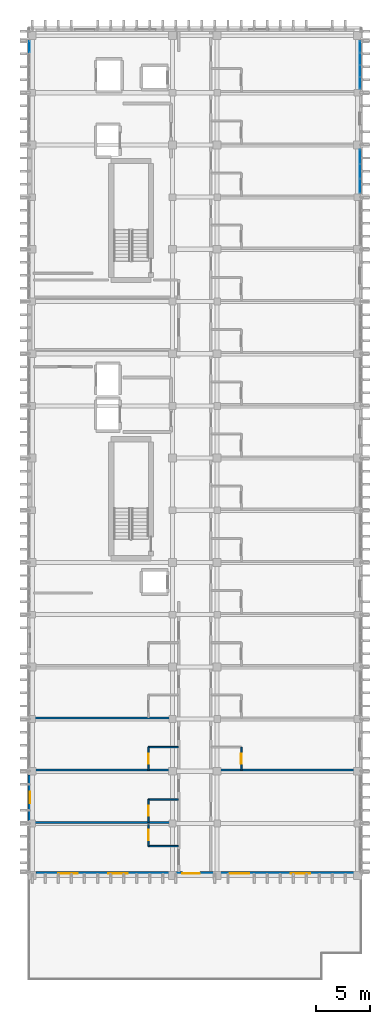
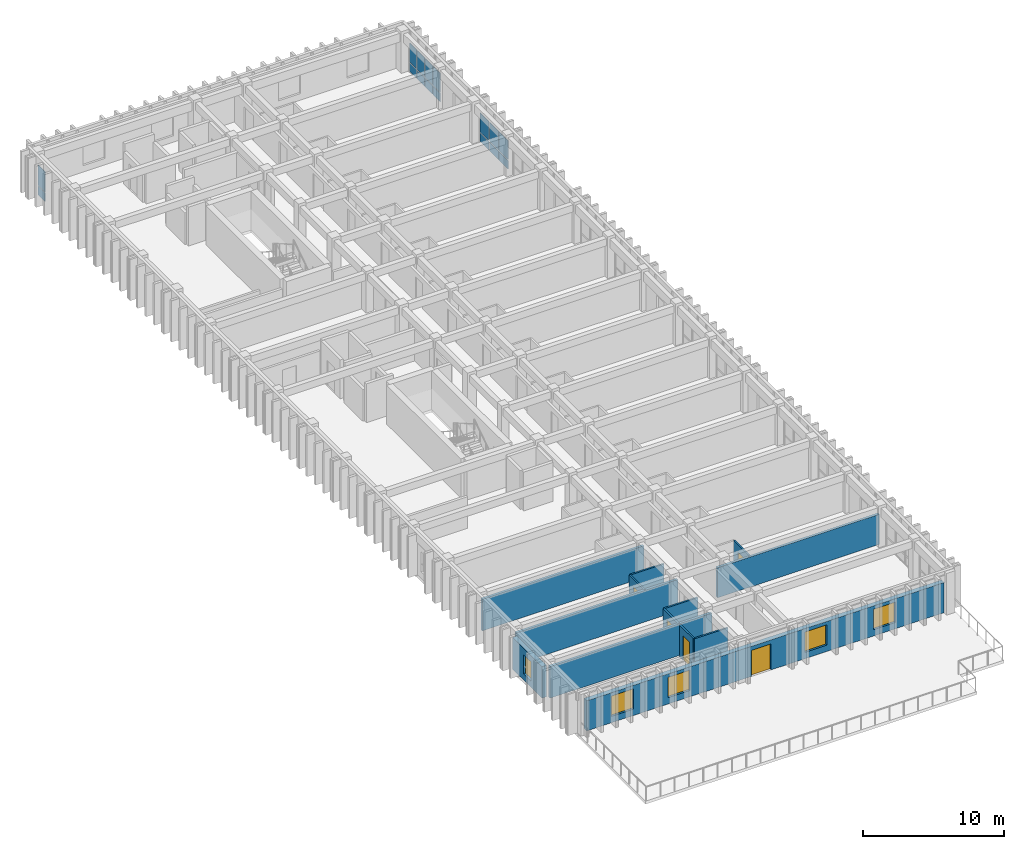
# One storey, part 47 of 59: 16 plates, 13 walls, 5 doors, 5 windows, 10 openings, 3 elements without a shape of their own.
"""IFC4 building model written with IfcOpenShell, lengths in metres."""

from ifc_helpers import new_model, si_unit, direction, frame, frame_2d, origin, origin_2d, place, context, subcontext, project, spatial, rectangle, extrude, material, layer, layer_set, type_object, element, fill, aggregate, save


model = new_model("IFC4")

# Units and contexts
model_context = context("Model", 3, precision=1e-05, world=origin(), true_north=direction((0.0, 1.0)))
body_context = subcontext(model_context, "Body", "Model", "MODEL_VIEW")
ifc_project = project(units=[si_unit("LENGTHUNIT", "METRE"), si_unit("AREAUNIT", "SQUARE_METRE"), si_unit("VOLUMEUNIT", "CUBIC_METRE"), si_unit("PLANEANGLEUNIT", "RADIAN"), si_unit("MASSUNIT", "GRAM", prefix="KILO")], contexts=[model_context])

# Site, building, storey
site_placement = place(None, origin())
site = spatial("IfcSite", under=ifc_project, at=site_placement, CompositionType="ELEMENT")
building_placement = place(site_placement, origin())
building = spatial("IfcBuilding", under=site, at=building_placement, Name="Nakhvara Creek Congress Hotel", CompositionType="ELEMENT")
storey_placement = place(building_placement, frame((0.0, 0.0, 31.800048828125)))
storey = spatial("IfcBuildingStorey", under=building, at=storey_placement, Name="L07", CompositionType="ELEMENT", Elevation=31.800048828125)

# Curtain wall, plates
ifc_material_1 = material(Name="Bronze-anodised aluminium AW-6063-T6 and double-silver low-E glass", Category="aluminium")
ifc_layer_1 = layer(ifc_material_1, 0.199951171875)
ifc_layer_set_1 = layer_set([ifc_layer_1], Name="Bronze-anodised aluminium AW-6063-T6 and double-silver low-E glass")
curtain_wall_type = type_object("IfcCurtainWallType", Name="CW-HTL-UNIT", PredefinedType="USERDEFINED", material=ifc_layer_set_1)
curtain_wall_1_placement = place(storey_placement, origin())
curtain_wall_1 = element("IfcCurtainWall", 1, at=curtain_wall_1_placement, inside=storey, type_object=curtain_wall_type, Name="Curtain Wall CW271", ObjectType="UNITISED", PredefinedType="USERDEFINED")
ifc_material_2 = material(Name="Double-silver solar-control low-E insulated glass", Category="glass")
plate_type = type_object("IfcPlateType", Name="PNL-GLZ-120X250", PredefinedType="CURTAIN_PANEL", material=ifc_material_2)
plate_1_placement = place(storey_placement, frame((179.60009765625, 114.12548828125, 0.06494140625), z_axis=(0.0, 0.0, 1.0), x_axis=(0.0, -1.0, 0.0)))
plate_1 = element("IfcPlate", 2, at=plate_1_placement, type_object=plate_type, Name="CW271 panel 1.1", PredefinedType="CURTAIN_PANEL", context=body_context, shape_type="SweptSolid", body=[
    extrude(rectangle(XDim=1.269287109375, YDim=0.028076171875, at=origin_2d()), origin(), (0.0, 0.0, 1.0), 0.75244140625),
])
plate_2_placement = place(storey_placement, frame((179.60009765625, 114.12548828125, 0.88232421875), z_axis=(0.0, 0.0, 1.0), x_axis=(0.0, -1.0, 0.0)))
plate_2 = element("IfcPlate", 3, at=plate_2_placement, type_object=plate_type, Name="CW271 panel 1.2", PredefinedType="CURTAIN_PANEL", context=body_context, shape_type="SweptSolid", body=[
    extrude(rectangle(XDim=1.269287109375, YDim=0.028076171875, at=origin_2d()), origin(), (0.0, 0.0, 1.0), 1.654541015625),
])
plate_3_placement = place(storey_placement, frame((179.60009765625, 112.77490234375, 0.06494140625), z_axis=(0.0, 0.0, 1.0), x_axis=(0.0, -1.0, 0.0)))
plate_3 = element("IfcPlate", 4, at=plate_3_placement, type_object=plate_type, Name="CW271 panel 2.1", PredefinedType="CURTAIN_PANEL", context=body_context, shape_type="SweptSolid", body=[
    extrude(rectangle(XDim=1.3017578125, YDim=0.028076171875, at=origin_2d()), origin(), (0.0, 0.0, 1.0), 0.75244140625),
])
plate_4_placement = place(storey_placement, frame((179.60009765625, 112.77490234375, 0.88232421875), z_axis=(0.0, 0.0, 1.0), x_axis=(0.0, -1.0, 0.0)))
plate_4 = element("IfcPlate", 5, at=plate_4_placement, type_object=plate_type, Name="CW271 panel 2.2", PredefinedType="CURTAIN_PANEL", context=body_context, shape_type="SweptSolid", body=[
    extrude(rectangle(XDim=1.3017578125, YDim=0.028076171875, at=origin_2d()), origin(), (0.0, 0.0, 1.0), 1.654541015625),
])
plate_5_placement = place(storey_placement, frame((179.60009765625, 111.424560546875, 0.06494140625), z_axis=(0.0, 0.0, 1.0), x_axis=(0.0, -1.0, 0.0)))
plate_5 = element("IfcPlate", 6, at=plate_5_placement, type_object=plate_type, Name="CW271 panel 3.1", PredefinedType="CURTAIN_PANEL", context=body_context, shape_type="SweptSolid", body=[
    extrude(rectangle(XDim=1.269287109375, YDim=0.028076171875, at=origin_2d()), origin(), (0.0, 0.0, 1.0), 0.75244140625),
])
plate_6_placement = place(storey_placement, frame((179.60009765625, 111.424560546875, 0.88232421875), z_axis=(0.0, 0.0, 1.0), x_axis=(0.0, -1.0, 0.0)))
plate_6 = element("IfcPlate", 7, at=plate_6_placement, type_object=plate_type, Name="CW271 panel 3.2", PredefinedType="CURTAIN_PANEL", context=body_context, shape_type="SweptSolid", body=[
    extrude(rectangle(XDim=1.269287109375, YDim=0.028076171875, at=origin_2d()), origin(), (0.0, 0.0, 1.0), 1.654541015625),
])
aggregate(curtain_wall_1, [plate_1, plate_2, plate_3, plate_4, plate_5, plate_6])

curtain_wall_2_placement = place(storey_placement, origin())
curtain_wall_2 = element("IfcCurtainWall", 8, at=curtain_wall_2_placement, inside=storey, type_object=curtain_wall_type, Name="Curtain Wall CW273", ObjectType="UNITISED", PredefinedType="USERDEFINED")
plate_7_placement = place(storey_placement, frame((179.60009765625, 124.224365234375, 0.06494140625), z_axis=(0.0, 0.0, 1.0), x_axis=(0.0, -1.0, 0.0)))
plate_7 = element("IfcPlate", 9, at=plate_7_placement, type_object=plate_type, Name="CW273 panel 1.1", PredefinedType="CURTAIN_PANEL", context=body_context, shape_type="SweptSolid", body=[
    extrude(rectangle(XDim=1.021240234375, YDim=0.028076171875, at=origin_2d()), origin(), (0.0, 0.0, 1.0), 0.75244140625),
])
plate_8_placement = place(storey_placement, frame((179.60009765625, 124.224365234375, 0.88232421875), z_axis=(0.0, 0.0, 1.0), x_axis=(0.0, -1.0, 0.0)))
plate_8 = element("IfcPlate", 10, at=plate_8_placement, type_object=plate_type, Name="CW273 panel 1.2", PredefinedType="CURTAIN_PANEL", context=body_context, shape_type="SweptSolid", body=[
    extrude(rectangle(XDim=1.021240234375, YDim=0.028076171875, at=origin_2d()), origin(), (0.0, 0.0, 1.0), 1.654541015625),
])
plate_9_placement = place(storey_placement, frame((179.60009765625, 123.121826171875, 0.06494140625), z_axis=(0.0, 0.0, 1.0), x_axis=(0.0, -1.0, 0.0)))
plate_9 = element("IfcPlate", 11, at=plate_9_placement, type_object=plate_type, Name="CW273 panel 2.1", PredefinedType="CURTAIN_PANEL", context=body_context, shape_type="SweptSolid", body=[
    extrude(rectangle(XDim=1.0537109375, YDim=0.028076171875, at=origin_2d()), origin(), (0.0, 0.0, 1.0), 0.75244140625),
])
plate_10_placement = place(storey_placement, frame((179.60009765625, 123.121826171875, 0.88232421875), z_axis=(0.0, 0.0, 1.0), x_axis=(0.0, -1.0, 0.0)))
plate_10 = element("IfcPlate", 12, at=plate_10_placement, type_object=plate_type, Name="CW273 panel 2.2", PredefinedType="CURTAIN_PANEL", context=body_context, shape_type="SweptSolid", body=[
    extrude(rectangle(XDim=1.0537109375, YDim=0.028076171875, at=origin_2d()), origin(), (0.0, 0.0, 1.0), 1.654541015625),
])
plate_11_placement = place(storey_placement, frame((179.60009765625, 122.003173828125, 0.06494140625), z_axis=(0.0, 0.0, 1.0), x_axis=(0.0, -1.0, 0.0)))
plate_11 = element("IfcPlate", 13, at=plate_11_placement, type_object=plate_type, Name="CW273 panel 3.1", PredefinedType="CURTAIN_PANEL", context=body_context, shape_type="SweptSolid", body=[
    extrude(rectangle(XDim=1.0537109375, YDim=0.028076171875, at=origin_2d()), origin(), (0.0, 0.0, 1.0), 0.75244140625),
])
plate_12_placement = place(storey_placement, frame((179.60009765625, 122.003173828125, 0.88232421875), z_axis=(0.0, 0.0, 1.0), x_axis=(0.0, -1.0, 0.0)))
plate_12 = element("IfcPlate", 14, at=plate_12_placement, type_object=plate_type, Name="CW273 panel 3.2", PredefinedType="CURTAIN_PANEL", context=body_context, shape_type="SweptSolid", body=[
    extrude(rectangle(XDim=1.0537109375, YDim=0.028076171875, at=origin_2d()), origin(), (0.0, 0.0, 1.0), 1.654541015625),
])
plate_13_placement = place(storey_placement, frame((179.60009765625, 120.900634765625, 0.06494140625), z_axis=(0.0, 0.0, 1.0), x_axis=(0.0, -1.0, 0.0)))
plate_13 = element("IfcPlate", 15, at=plate_13_placement, type_object=plate_type, Name="CW273 panel 4.1", PredefinedType="CURTAIN_PANEL", context=body_context, shape_type="SweptSolid", body=[
    extrude(rectangle(XDim=1.021240234375, YDim=0.028076171875, at=origin_2d()), origin(), (0.0, 0.0, 1.0), 0.75244140625),
])
plate_14_placement = place(storey_placement, frame((179.60009765625, 120.900634765625, 0.88232421875), z_axis=(0.0, 0.0, 1.0), x_axis=(0.0, -1.0, 0.0)))
plate_14 = element("IfcPlate", 16, at=plate_14_placement, type_object=plate_type, Name="CW273 panel 4.2", PredefinedType="CURTAIN_PANEL", context=body_context, shape_type="SweptSolid", body=[
    extrude(rectangle(XDim=1.021240234375, YDim=0.028076171875, at=origin_2d()), origin(), (0.0, 0.0, 1.0), 1.654541015625),
])
aggregate(curtain_wall_2, [plate_7, plate_8, plate_9, plate_10, plate_11, plate_12, plate_13, plate_14])

curtain_wall_3_placement = place(storey_placement, origin())
curtain_wall_3 = element("IfcCurtainWall", 17, at=curtain_wall_3_placement, inside=storey, type_object=curtain_wall_type, Name="Curtain Wall CW274", ObjectType="UNITISED", PredefinedType="USERDEFINED")
plate_15_placement = place(storey_placement, frame((149.199951171875, 124.224365234375, 0.06494140625), z_axis=(0.0, 0.0, 1.0), x_axis=(0.0, 1.0, 0.0)))
plate_15 = element("IfcPlate", 18, at=plate_15_placement, type_object=plate_type, Name="CW274 panel 4.1", PredefinedType="CURTAIN_PANEL", context=body_context, shape_type="SweptSolid", body=[
    extrude(rectangle(XDim=1.021240234375, YDim=0.028076171875, at=origin_2d()), origin(), (0.0, 0.0, 1.0), 0.75244140625),
])
plate_16_placement = place(storey_placement, frame((149.199951171875, 124.224365234375, 0.88232421875), z_axis=(0.0, 0.0, 1.0), x_axis=(0.0, 1.0, 0.0)))
plate_16 = element("IfcPlate", 19, at=plate_16_placement, type_object=plate_type, Name="CW274 panel 4.2", PredefinedType="CURTAIN_PANEL", context=body_context, shape_type="SweptSolid", body=[
    extrude(rectangle(XDim=1.021240234375, YDim=0.028076171875, at=origin_2d()), origin(), (0.0, 0.0, 1.0), 1.784423828125),
])
aggregate(curtain_wall_3, [plate_15, plate_16])

# Wall, opening, door
ifc_material_3 = material(Name="Moisture-resistant gypsum board partition")
ifc_layer_2 = layer(ifc_material_3, 0.139892578125)
ifc_layer_set_2 = layer_set([ifc_layer_2], Name="Moisture-resistant gypsum board partition")
wall_type_1 = type_object("IfcWallType", Name="W-ENS-140", PredefinedType="PARTITIONING", material=ifc_layer_set_2)
wall_1_placement = place(storey_placement, frame((160.1298828125, 50.721923828125, 0.0), z_axis=(0.0, 0.0, 1.0), x_axis=(0.0, 1.0, 0.0)))
wall_1 = element("IfcWall", 20, at=wall_1_placement, inside=storey, type_object=wall_type_1, Name="Interior Wall WP15-IW-L07-0529", PredefinedType="PARTITIONING", context=body_context, shape_type="SweptSolid", body=[
    extrude(rectangle(XDim=1.97802734375, YDim=0.139892578125, at=frame_2d((0.989013671875, 0.0))), origin(), (0.0, 0.0, 1.0), 2.73193359375),
])
opening_1_placement = place(wall_1_placement, frame((0.513916015625, 0.0, 0.0)))
opening_1 = element("IfcOpeningElement", 21, at=opening_1_placement, cuts=wall_1, Name="Opening ID02", PredefinedType="OPENING", context=body_context, shape_type="SweptSolid", body=[
    extrude(rectangle(XDim=0.9599609375, YDim=2.1201171875, at=frame_2d((0.47998046875, 1.06005859375))), frame((0.0, 0.08203125, 0.0), z_axis=(0.0, -1.0, 0.0), x_axis=(1.0, 0.0, 0.0)), (0.0, 0.0, 1.0), 0.163818359375),
])
ifc_material_4 = material(Name="Moisture-resistant walnut timber door", Category="wood")
door_type_1 = type_object("IfcDoorType", Name="DT-ENS-096", OperationType="NOTDEFINED", PredefinedType="DOOR", material=ifc_material_4)
door_1_placement = place(opening_1_placement, origin())
door_1 = element("IfcDoor", 22, at=door_1_placement, inside=storey, type_object=door_type_1, Name="Interior Door ID02-0401", OperationType="SINGLE_SWING_RIGHT", OverallHeight=2.1201171875, OverallWidth=0.9599609375, PredefinedType="DOOR", context=body_context, shape_type="SweptSolid", body=[
    extrude(rectangle(XDim=0.9599609375, YDim=2.1201171875, at=frame_2d((0.47998046875, 1.06005859375))), frame((0.0, 0.02490234375, 0.0), z_axis=(0.0, -1.0, 0.0), x_axis=(1.0, 0.0, 0.0)), (0.0, 0.0, 1.0), 0.050048828125),
])
fill(opening_1, door_1)

# Wall
wall_2_placement = place(storey_placement, frame((160.1298828125, 50.721923828125, 0.0), z_axis=(0.0, 0.0, 1.0), x_axis=(1.0, 0.0, 0.0)))
element("IfcWall", 23, at=wall_2_placement, inside=storey, type_object=wall_type_1, Name="Interior Wall WP15-IW-L07-0530", PredefinedType="PARTITIONING", context=body_context, shape_type="SweptSolid", body=[
    extrude(rectangle(XDim=2.75, YDim=0.139892578125, at=frame_2d((1.375, 0.0))), origin(), (0.0, 0.0, 1.0), 2.73193359375),
])

# Wall, opening, door
wall_3_placement = place(storey_placement, frame((160.1298828125, 52.89990234375, 0.0), z_axis=(0.0, 0.0, 1.0), x_axis=(0.0, 1.0, 0.0)))
wall_3 = element("IfcWall", 24, at=wall_3_placement, inside=storey, type_object=wall_type_1, Name="Interior Wall WP15-IW-L07-0532", PredefinedType="PARTITIONING", context=body_context, shape_type="SweptSolid", body=[
    extrude(rectangle(XDim=2.1162109375, YDim=0.139892578125, at=frame_2d((1.05810546875, 0.0))), origin(), (0.0, 0.0, 1.0), 2.73193359375),
])
opening_2_placement = place(wall_3_placement, frame((0.5830078125, 0.0, 0.0)))
opening_2 = element("IfcOpeningElement", 25, at=opening_2_placement, cuts=wall_3, Name="Opening ID02", PredefinedType="OPENING", context=body_context, shape_type="SweptSolid", body=[
    extrude(rectangle(XDim=0.9599609375, YDim=2.1201171875, at=frame_2d((0.47998046875, 1.06005859375))), frame((0.0, 0.08203125, 0.0), z_axis=(0.0, -1.0, 0.0), x_axis=(1.0, 0.0, 0.0)), (0.0, 0.0, 1.0), 0.163818359375),
])
door_2_placement = place(opening_2_placement, origin())
door_2 = element("IfcDoor", 26, at=door_2_placement, inside=storey, type_object=door_type_1, Name="Interior Door ID02-0403", OperationType="SINGLE_SWING_RIGHT", OverallHeight=2.1201171875, OverallWidth=0.9599609375, PredefinedType="DOOR", context=body_context, shape_type="SweptSolid", body=[
    extrude(rectangle(XDim=0.9599609375, YDim=2.1201171875, at=frame_2d((0.47998046875, 1.06005859375))), frame((0.0, 0.02490234375, 0.0), z_axis=(0.0, -1.0, 0.0), x_axis=(1.0, 0.0, 0.0)), (0.0, 0.0, 1.0), 0.050048828125),
])
fill(opening_2, door_2)

# Wall
wall_4_placement = place(storey_placement, frame((160.1298828125, 55.01611328125, 0.0), z_axis=(0.0, 0.0, 1.0), x_axis=(1.0, 0.0, 0.0)))
element("IfcWall", 27, at=wall_4_placement, inside=storey, type_object=wall_type_1, Name="Interior Wall WP15-IW-L07-0533", PredefinedType="PARTITIONING", context=body_context, shape_type="SweptSolid", body=[
    extrude(rectangle(XDim=2.75, YDim=0.139892578125, at=frame_2d((1.375, 0.0))), origin(), (0.0, 0.0, 1.0), 2.73193359375),
])

# Wall, opening, door
wall_5_placement = place(storey_placement, frame((160.1298828125, 57.699951171875, 0.0), z_axis=(0.0, 0.0, 1.0), x_axis=(0.0, 1.0, 0.0)))
wall_5 = element("IfcWall", 28, at=wall_5_placement, inside=storey, type_object=wall_type_1, Name="Interior Wall WP15-IW-L07-0535", PredefinedType="PARTITIONING", context=body_context, shape_type="SweptSolid", body=[
    extrude(rectangle(XDim=2.115966796875, YDim=0.139892578125, at=frame_2d((1.05810546875, 0.0))), origin(), (0.0, 0.0, 1.0), 2.73193359375),
])
opening_3_placement = place(wall_5_placement, frame((0.5830078125, 0.0, 0.0)))
opening_3 = element("IfcOpeningElement", 29, at=opening_3_placement, cuts=wall_5, Name="Opening ID01", PredefinedType="OPENING", context=body_context, shape_type="SweptSolid", body=[
    extrude(rectangle(XDim=0.919921875, YDim=2.10009765625, at=frame_2d((0.4599609375, 1.050048828125))), frame((0.0, 0.08203125, 0.0), z_axis=(0.0, -1.0, 0.0), x_axis=(1.0, 0.0, 0.0)), (0.0, 0.0, 1.0), 0.163818359375),
])
door_type_2 = type_object("IfcDoorType", Name="DT-ENS-092", OperationType="NOTDEFINED", PredefinedType="DOOR", material=ifc_material_4)
door_3_placement = place(opening_3_placement, origin())
door_3 = element("IfcDoor", 30, at=door_3_placement, inside=storey, type_object=door_type_2, Name="Interior Door ID01-0405", OperationType="SINGLE_SWING_RIGHT", OverallHeight=2.10009765625, OverallWidth=0.919921875, PredefinedType="DOOR", context=body_context, shape_type="SweptSolid", body=[
    extrude(rectangle(XDim=0.919921875, YDim=2.10009765625, at=frame_2d((0.4599609375, 1.050048828125))), frame((0.0, 0.02490234375, 0.0), z_axis=(0.0, -1.0, 0.0), x_axis=(1.0, 0.0, 0.0)), (0.0, 0.0, 1.0), 0.050048828125),
])
fill(opening_3, door_3)

# Wall
wall_6_placement = place(storey_placement, frame((160.1298828125, 59.81591796875, 0.0), z_axis=(0.0, 0.0, 1.0), x_axis=(1.0, 0.0, 0.0)))
element("IfcWall", 31, at=wall_6_placement, inside=storey, type_object=wall_type_1, Name="Interior Wall WP15-IW-L07-0536", PredefinedType="PARTITIONING", context=body_context, shape_type="SweptSolid", body=[
    extrude(rectangle(XDim=2.75, YDim=0.139892578125, at=frame_2d((1.375, 0.0))), origin(), (0.0, 0.0, 1.0), 2.73193359375),
])

# Wall, opening, door
wall_7_placement = place(storey_placement, frame((168.669921875, 57.699951171875, 0.0), z_axis=(0.0, 0.0, 1.0), x_axis=(0.0, 1.0, 0.0)))
wall_7 = element("IfcWall", 32, at=wall_7_placement, inside=storey, type_object=wall_type_1, Name="Interior Wall WP15-IW-L07-0544", PredefinedType="PARTITIONING", context=body_context, shape_type="SweptSolid", body=[
    extrude(rectangle(XDim=2.115966796875, YDim=0.139892578125, at=frame_2d((1.05810546875, 0.0))), origin(), (0.0, 0.0, 1.0), 2.73193359375),
])
opening_4_placement = place(wall_7_placement, frame((0.5830078125, 0.0, 0.0)))
opening_4 = element("IfcOpeningElement", 33, at=opening_4_placement, cuts=wall_7, Name="Opening ID01", PredefinedType="OPENING", context=body_context, shape_type="SweptSolid", body=[
    extrude(rectangle(XDim=0.919921875, YDim=2.10009765625, at=frame_2d((0.4599609375, 1.050048828125))), frame((0.0, 0.08203125, 0.0), z_axis=(0.0, -1.0, 0.0), x_axis=(1.0, 0.0, 0.0)), (0.0, 0.0, 1.0), 0.163818359375),
])
door_4_placement = place(opening_4_placement, frame((0.919921875, 0.0, 0.0), z_axis=(0.0, 0.0, 1.0), x_axis=(-1.0, 0.0, 0.0)))
door_4 = element("IfcDoor", 34, at=door_4_placement, inside=storey, type_object=door_type_2, Name="Interior Door ID01-0411", OperationType="SINGLE_SWING_RIGHT", OverallHeight=2.10009765625, OverallWidth=0.919921875, PredefinedType="DOOR", context=body_context, shape_type="SweptSolid", body=[
    extrude(rectangle(XDim=0.919921875, YDim=2.10009765625, at=frame_2d((0.4599609375, 1.050048828125))), frame((0.0, 0.02490234375, 0.0), z_axis=(0.0, -1.0, 0.0), x_axis=(1.0, 0.0, 0.0)), (0.0, 0.0, 1.0), 0.050048828125),
])
fill(opening_4, door_4)

# Wall, openings, door, windows
ifc_material_5 = material(Name="Honed pale Omani limestone cladding", Category="masonry")
ifc_layer_3 = layer(ifc_material_5, 0.050048828125)
ifc_material_6 = material(Name="Mineral wool thermal insulation")
ifc_layer_4 = layer(ifc_material_6, 0.110107421875)
ifc_material_7 = material(Name="Precast concrete C40/50", Category="concrete")
ifc_layer_5 = layer(ifc_material_7, 0.219970703125)
ifc_layer_set_3 = layer_set([ifc_layer_3, ifc_layer_4, ifc_layer_5], Name="Precast concrete C40/50")
wall_type_2 = type_object("IfcWallType", Name="W-EXT-380", PredefinedType="SOLIDWALL", material=ifc_layer_set_3)
wall_8_placement = place(storey_placement, frame((179.014892578125, 48.18994140625, 0.0), z_axis=(0.0, 0.0, 1.0), x_axis=(-1.0, 0.0, 0.0)))
wall_8 = element("IfcWall", 35, at=wall_8_placement, inside=storey, type_object=wall_type_2, Name="Exterior Wall WE03-EW-L07-0177", PredefinedType="SOLIDWALL", context=body_context, shape_type="SweptSolid", body=[
    extrude(rectangle(XDim=29.22998046875, YDim=0.3798828125, at=frame_2d((14.614990234375, 0.0))), origin(), (0.0, 0.0, 1.0), 2.60205078125),
])
opening_5_placement = place(wall_8_placement, frame((14.14990234375, 0.0, 0.0)))
opening_5 = element("IfcOpeningElement", 36, at=opening_5_placement, cuts=wall_8, Name="Opening TDL07S", PredefinedType="OPENING", context=body_context, shape_type="SweptSolid", body=[
    extrude(rectangle(XDim=1.60009765625, YDim=2.25, at=frame_2d((0.800048828125, 1.125))), frame((0.0, 0.201904296875, 0.0), z_axis=(0.0, -1.0, 0.0), x_axis=(1.0, 0.0, 0.0)), (0.0, 0.0, 1.0), 0.40380859375),
])
opening_6_placement = place(wall_8_placement, frame((4.0, 0.0, 0.550048828125)))
opening_6 = element("IfcOpeningElement", 37, at=opening_6_placement, cuts=wall_8, Name="Opening WN0190", PredefinedType="OPENING", context=body_context, shape_type="SweptSolid", body=[
    extrude(rectangle(XDim=1.800048828125, YDim=1.760009765625, at=frame_2d((0.89990234375, 0.8798828125))), frame((0.0, 0.201904296875, 0.0), z_axis=(0.0, -1.0, 0.0), x_axis=(1.0, 0.0, 0.0)), (0.0, 0.0, 1.0), 0.40380859375),
])
opening_7_placement = place(wall_8_placement, frame((9.60009765625, 0.0, 0.550048828125)))
opening_7 = element("IfcOpeningElement", 38, at=opening_7_placement, cuts=wall_8, Name="Opening WN0191", PredefinedType="OPENING", context=body_context, shape_type="SweptSolid", body=[
    extrude(rectangle(XDim=1.800048828125, YDim=1.760009765625, at=frame_2d((0.89990234375, 0.8798828125))), frame((0.0, 0.201904296875, 0.0), z_axis=(0.0, -1.0, 0.0), x_axis=(1.0, 0.0, 0.0)), (0.0, 0.0, 1.0), 0.40380859375),
])
opening_8_placement = place(wall_8_placement, frame((20.800048828125, 0.0, 0.550048828125)))
opening_8 = element("IfcOpeningElement", 39, at=opening_8_placement, cuts=wall_8, Name="Opening WN0192", PredefinedType="OPENING", context=body_context, shape_type="SweptSolid", body=[
    extrude(rectangle(XDim=1.800048828125, YDim=1.760009765625, at=frame_2d((0.89990234375, 0.8798828125))), frame((0.0, 0.201904296875, 0.0), z_axis=(0.0, -1.0, 0.0), x_axis=(1.0, 0.0, 0.0)), (0.0, 0.0, 1.0), 0.40380859375),
])
opening_9_placement = place(wall_8_placement, frame((25.39990234375, 0.0, 0.550048828125)))
opening_9 = element("IfcOpeningElement", 40, at=opening_9_placement, cuts=wall_8, Name="Opening WN0193", PredefinedType="OPENING", context=body_context, shape_type="SweptSolid", body=[
    extrude(rectangle(XDim=1.800048828125, YDim=1.760009765625, at=frame_2d((0.89990234375, 0.8798828125))), frame((0.0, 0.201904296875, 0.0), z_axis=(0.0, -1.0, 0.0), x_axis=(1.0, 0.0, 0.0)), (0.0, 0.0, 1.0), 0.40380859375),
])
ifc_material_8 = material(Name="Bronze-anodised aluminium and laminated low-E glass", Category="aluminium")
door_type_3 = type_object("IfcDoorType", Name="DT-EXT-TER160", OperationType="DOUBLE_DOOR_SINGLE_SWING", PredefinedType="DOOR", material=ifc_material_8)
door_5_placement = place(opening_5_placement, origin())
door_5 = element("IfcDoor", 41, at=door_5_placement, inside=storey, type_object=door_type_3, Name="Creekside Setback Terrace Door TDL07S", OperationType="DOUBLE_DOOR_SINGLE_SWING", OverallHeight=2.25, OverallWidth=1.60009765625, PredefinedType="DOOR", context=body_context, shape_type="SweptSolid", body=[
    extrude(rectangle(XDim=1.60009765625, YDim=2.25, at=frame_2d((0.800048828125, 1.125))), frame((0.0, 0.02490234375, 0.0), z_axis=(0.0, -1.0, 0.0), x_axis=(1.0, 0.0, 0.0)), (0.0, 0.0, 1.0), 0.050048828125),
])
fill(opening_5, door_5)
ifc_material_9 = material(Name="Thermally broken bronze-anodised aluminium and double-silver low-E insulated glass", Category="aluminium")
window_type_1 = type_object("IfcWindowType", Name="WN-LAN-180X225", PartitioningType="SINGLE_PANEL", PredefinedType="WINDOW", material=ifc_material_9)
window_1_placement = place(opening_6_placement, origin())
window_1 = element("IfcWindow", 42, at=window_1_placement, inside=storey, type_object=window_type_1, Name="Facade Window WN0190", OverallHeight=1.760009765625, OverallWidth=1.800048828125, PartitioningType="SINGLE_PANEL", PredefinedType="WINDOW", context=body_context, shape_type="SweptSolid", body=[
    extrude(rectangle(XDim=1.800048828125, YDim=1.760009765625, at=frame_2d((0.89990234375, 0.8798828125))), frame((0.0, 0.030029296875, 0.0), z_axis=(0.0, -1.0, 0.0), x_axis=(1.0, 0.0, 0.0)), (0.0, 0.0, 1.0), 0.06005859375),
])
fill(opening_6, window_1)
window_2_placement = place(opening_7_placement, origin())
window_2 = element("IfcWindow", 43, at=window_2_placement, inside=storey, type_object=window_type_1, Name="Facade Window WN0191", OverallHeight=1.760009765625, OverallWidth=1.800048828125, PartitioningType="SINGLE_PANEL", PredefinedType="WINDOW", context=body_context, shape_type="SweptSolid", body=[
    extrude(rectangle(XDim=1.800048828125, YDim=1.760009765625, at=frame_2d((0.89990234375, 0.8798828125))), frame((0.0, 0.030029296875, 0.0), z_axis=(0.0, -1.0, 0.0), x_axis=(1.0, 0.0, 0.0)), (0.0, 0.0, 1.0), 0.06005859375),
])
fill(opening_7, window_2)
window_3_placement = place(opening_8_placement, origin())
window_3 = element("IfcWindow", 44, at=window_3_placement, inside=storey, type_object=window_type_1, Name="Facade Window WN0192", OverallHeight=1.760009765625, OverallWidth=1.800048828125, PartitioningType="SINGLE_PANEL", PredefinedType="WINDOW", context=body_context, shape_type="SweptSolid", body=[
    extrude(rectangle(XDim=1.800048828125, YDim=1.760009765625, at=frame_2d((0.89990234375, 0.8798828125))), frame((0.0, 0.030029296875, 0.0), z_axis=(0.0, -1.0, 0.0), x_axis=(1.0, 0.0, 0.0)), (0.0, 0.0, 1.0), 0.06005859375),
])
fill(opening_8, window_3)
window_4_placement = place(opening_9_placement, origin())
window_4 = element("IfcWindow", 45, at=window_4_placement, inside=storey, type_object=window_type_1, Name="Facade Window WN0193", OverallHeight=1.760009765625, OverallWidth=1.800048828125, PartitioningType="SINGLE_PANEL", PredefinedType="WINDOW", context=body_context, shape_type="SweptSolid", body=[
    extrude(rectangle(XDim=1.800048828125, YDim=1.760009765625, at=frame_2d((0.89990234375, 0.8798828125))), frame((0.0, 0.030029296875, 0.0), z_axis=(0.0, -1.0, 0.0), x_axis=(1.0, 0.0, 0.0)), (0.0, 0.0, 1.0), 0.06005859375),
])
fill(opening_9, window_4)

# Wall, opening, window
wall_9_placement = place(storey_placement, frame((149.239990234375, 53.0849609375, 0.0), z_axis=(0.0, 0.0, 1.0), x_axis=(0.0, 1.0, 0.0)))
wall_9 = element("IfcWall", 46, at=wall_9_placement, inside=storey, type_object=wall_type_2, Name="Exterior Wall WE03-EW-L07-0178", PredefinedType="SOLIDWALL", context=body_context, shape_type="SweptSolid", body=[
    extrude(rectangle(XDim=4.179931640625, YDim=0.3798828125, at=frame_2d((2.08984375, 0.0))), origin(), (0.0, 0.0, 1.0), 2.73193359375),
])
opening_10_placement = place(wall_9_placement, frame((1.56494140625, 0.0, 0.550048828125)))
opening_10 = element("IfcOpeningElement", 47, at=opening_10_placement, cuts=wall_9, Name="Opening WN0194", PredefinedType="OPENING", context=body_context, shape_type="SweptSolid", body=[
    extrude(rectangle(XDim=1.050048828125, YDim=1.64990234375, at=frame_2d((0.52490234375, 0.824951171875))), frame((0.0, 0.201904296875, 0.0), z_axis=(0.0, -1.0, 0.0), x_axis=(1.0, 0.0, 0.0)), (0.0, 0.0, 1.0), 0.40380859375),
])
window_type_2 = type_object("IfcWindowType", Name="WN-LAN-105X180", PartitioningType="SINGLE_PANEL", PredefinedType="WINDOW", material=ifc_material_9)
window_5_placement = place(opening_10_placement, origin())
window_5 = element("IfcWindow", 48, at=window_5_placement, inside=storey, type_object=window_type_2, Name="Facade Window WN0194", OverallHeight=1.64990234375, OverallWidth=1.050048828125, PartitioningType="SINGLE_PANEL", PredefinedType="WINDOW", context=body_context, shape_type="SweptSolid", body=[
    extrude(rectangle(XDim=1.050048828125, YDim=1.64990234375, at=frame_2d((0.52490234375, 0.824951171875))), frame((0.0, 0.030029296875, 0.0), z_axis=(0.0, -1.0, 0.0), x_axis=(1.0, 0.0, 0.0)), (0.0, 0.0, 1.0), 0.06005859375),
])
fill(opening_10, window_5)

# Walls
ifc_material_10 = material(Name="Gypsum acoustic board on steel stud", Category="steel")
ifc_layer_6 = layer(ifc_material_10, 0.199951171875)
ifc_layer_set_4 = layer_set([ifc_layer_6], Name="Gypsum acoustic board on steel stud")
wall_type_3 = type_object("IfcWallType", Name="W-PART-200", PredefinedType="PARTITIONING", material=ifc_layer_set_4)
for number, where, z_axis, x_axis, name in (
    (49, (149.550048828125, 52.89990234375, 0.0), (0.0, 0.0, 1.0), (1.0, 0.0, 0.0), "Interior Wall WP12-IW-L07-0531"),
    (50, (149.550048828125, 57.699951171875, 0.0), (0.0, 0.0, 1.0), (1.0, 0.0, 0.0), "Interior Wall WP12-IW-L07-0534"),
    (51, (149.550048828125, 62.5, 0.0), (0.0, 0.0, 1.0), (1.0, 0.0, 0.0), "Interior Wall WP12-IW-L07-0537"),
):
    element("IfcWall", number, at=place(storey_placement, frame(where, z_axis=z_axis, x_axis=x_axis)), inside=storey, type_object=wall_type_3, Name=name, PredefinedType="PARTITIONING", context=body_context, shape_type="SweptSolid", body=[
        extrude(rectangle(XDim=13.22998046875, YDim=0.199951171875, at=frame_2d((6.614990234375, 0.0))), origin(), (0.0, 0.0, 1.0), 2.73193359375),
    ])
wall_10_placement = place(storey_placement, frame((166.02001953125, 57.699951171875, 0.0), z_axis=(0.0, 0.0, 1.0), x_axis=(1.0, 0.0, 0.0)))
element("IfcWall", 52, at=wall_10_placement, inside=storey, type_object=wall_type_3, Name="Interior Wall WP12-IW-L07-0543", PredefinedType="PARTITIONING", context=body_context, shape_type="SweptSolid", body=[
    extrude(rectangle(XDim=13.22998046875, YDim=0.199951171875, at=frame_2d((6.614990234375, 0.0))), origin(), (0.0, 0.0, 1.0), 2.60205078125),
])

save(model, "model.ifc")
